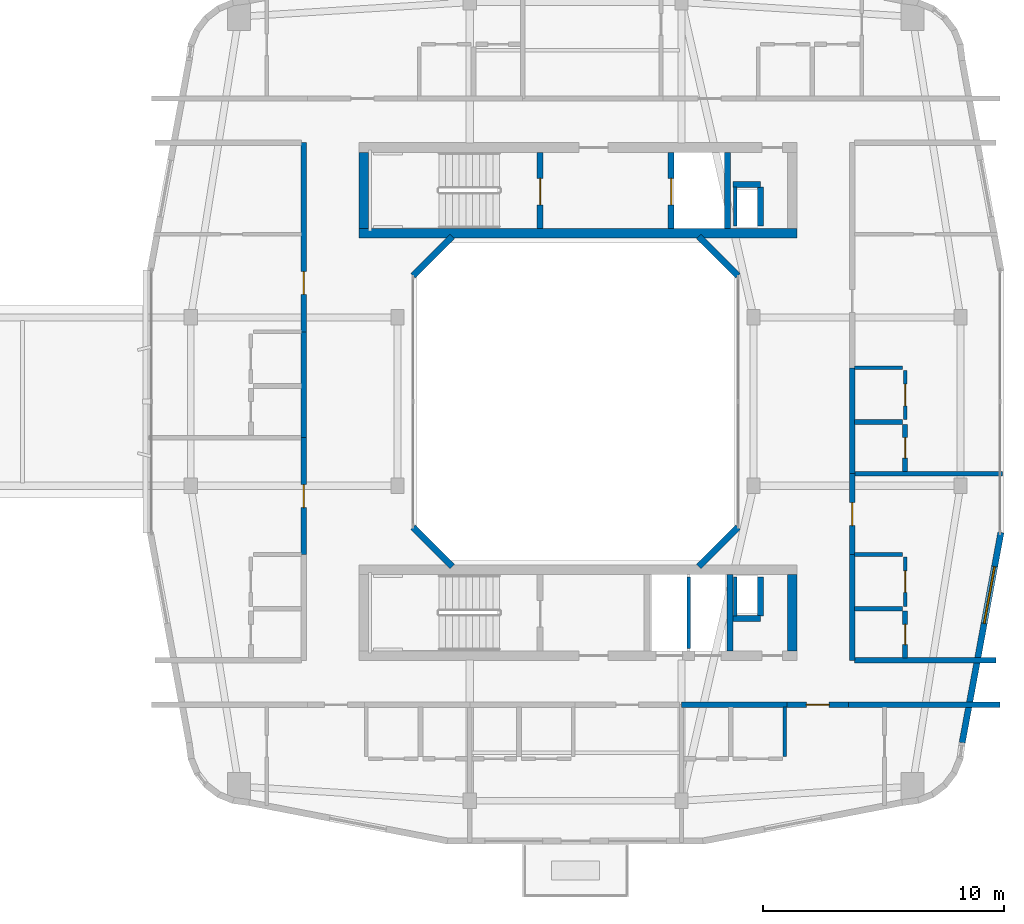
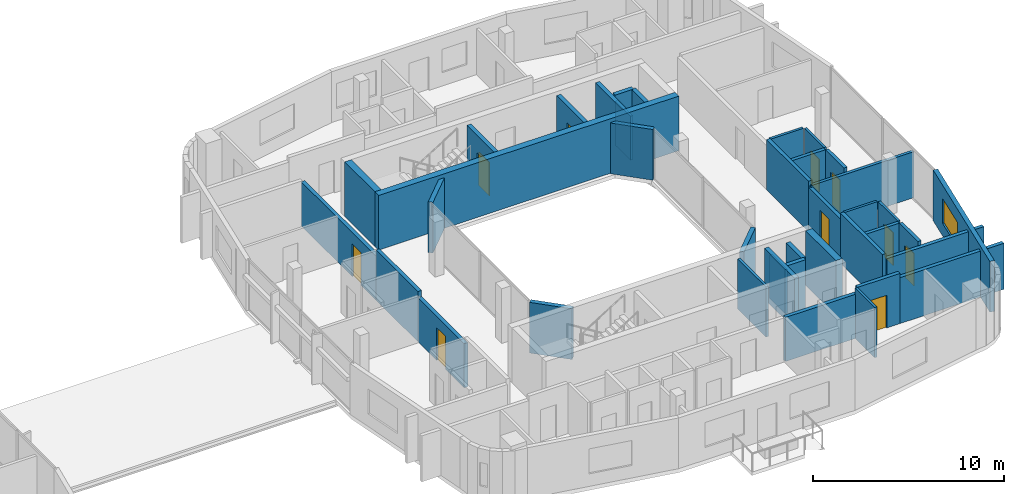
# One storey, part 14 of 22: 39 walls, 10 doors, 1 window, 11 openings.
"""IFC4 building model written with IfcOpenShell, lengths in metres."""

from ifc_helpers import new_model, si_unit, derived_unit, direction, frame, frame_2d, origin, place, context, subcontext, project, spatial, rectangle, extrude, material, layer, layer_set, type_object, element, fill, save


model = new_model("IFC4")

# Units and contexts
model_context = context("Model", 3, precision=1e-05, world=origin(), true_north=direction((0.0, 1.0)))
body_context = subcontext(model_context, "Body", "Model", "MODEL_VIEW")
ifc_project = project(units=[si_unit("LENGTHUNIT", "METRE"), si_unit("AREAUNIT", "SQUARE_METRE"), si_unit("VOLUMEUNIT", "CUBIC_METRE"), si_unit("PLANEANGLEUNIT", "RADIAN"), si_unit("MASSUNIT", "GRAM", prefix="KILO"), derived_unit("THERMALTRANSMITTANCEUNIT", [(si_unit("POWERUNIT", "WATT"), 1), (si_unit("LENGTHUNIT", "METRE"), -2), (si_unit("THERMODYNAMICTEMPERATUREUNIT", "KELVIN"), -1)])], contexts=[model_context])

# Site, building, storey
site_placement = place(None, origin())
site = spatial("IfcSite", under=ifc_project, at=site_placement, CompositionType="ELEMENT")
building_placement = place(site_placement, origin())
building = spatial("IfcBuilding", under=site, at=building_placement, Name="Kivonza Crest Hotel", CompositionType="ELEMENT")
storey_placement = place(building_placement, frame((0.0, 0.0, 124.0)))
storey = spatial("IfcBuildingStorey", under=building, at=storey_placement, Name="L33", CompositionType="ELEMENT", Elevation=124.0)

# Walls
ifc_material_1 = material(Name="High-density acoustic masonry inter-tenancy wall", Category="masonry")
ifc_layer_1 = layer(ifc_material_1, 0.179931640625)
ifc_layer_set_1 = layer_set([ifc_layer_1], Name="High-density acoustic masonry inter-tenancy wall")
wall_type_1 = type_object("IfcWallType", Name="WL-ACOU-180", PredefinedType="SOLIDWALL", material=ifc_layer_set_1)
wall_1_placement = place(storey_placement, frame((88.5, 22.0, 0.0), z_axis=(0.0, 0.0, 1.0), x_axis=(1.0, 0.0, 0.0)))
element("IfcWall", 1, at=wall_1_placement, inside=storey, type_object=wall_type_1, Name="L33 interior partition WA-L33-T2E-DIV1", PredefinedType="SOLIDWALL", context=body_context, shape_type="SweptSolid", body=[
    extrude(rectangle(XDim=6.239990234375, YDim=0.179931640625, at=frame_2d((3.1201171875, 0.0))), origin(), (0.0, 0.0, 1.0), 2.945068359375),
])
ifc_material_2 = material(Name="Autoclaved aerated concrete blockwork", Category="masonry")
ifc_layer_2 = layer(ifc_material_2, 0.219970703125)
ifc_layer_set_2 = layer_set([ifc_layer_2], Name="Autoclaved aerated concrete blockwork")
wall_type_2 = type_object("IfcWallType", Name="WL-ACOU-220", PredefinedType="SOLIDWALL", material=ifc_layer_set_2)
wall_2_placement = place(storey_placement, frame((81.39990234375, 12.39990234375, 0.0), z_axis=(0.0, 0.0, 1.0), x_axis=(1.0, 0.0, 0.0)))
element("IfcWall", 2, at=wall_2_placement, inside=storey, type_object=wall_type_2, Name="L33 interior partition WA-L33-A05-LCORR", PredefinedType="SOLIDWALL", context=body_context, shape_type="SweptSolid", body=[
    extrude(rectangle(XDim=4.380126953125, YDim=0.219970703125, at=frame_2d((2.18994140625, 0.0))), origin(), (0.0, 0.0, 1.0), 2.824951171875),
])
wall_3_placement = place(storey_placement, frame((88.35009765625, 12.39990234375, 0.0), z_axis=(0.0, 0.0, 1.0), x_axis=(1.0, 0.0, 0.0)))
element("IfcWall", 3, at=wall_3_placement, inside=storey, type_object=wall_type_2, Name="L33 interior partition WA-L33-A05-RCORR", PredefinedType="SOLIDWALL", context=body_context, shape_type="SweptSolid", body=[
    extrude(rectangle(XDim=6.289794921875, YDim=0.219970703125, at=frame_2d((3.14501953125, 0.0))), origin(), (0.0, 0.0, 1.0), 2.945068359375),
])

# Wall, opening, door
wall_4_placement = place(storey_placement, frame((85.780029296875, 12.39990234375, 0.0), z_axis=(0.0, 0.0, 1.0), x_axis=(1.0, 0.0, 0.0)))
wall_4 = element("IfcWall", 4, at=wall_4_placement, inside=storey, type_object=wall_type_2, Name="L33 interior partition WA-L33-A05-MCORR", PredefinedType="SOLIDWALL", context=body_context, shape_type="SweptSolid", body=[
    extrude(rectangle(XDim=2.570068359375, YDim=0.219970703125, at=frame_2d((1.28515625, 0.0))), origin(), (0.0, 0.0, 1.0), 3.219970703125),
])
opening_1_placement = place(wall_4_placement, frame((0.81005859375, 0.0, 0.0)))
opening_1 = element("IfcOpeningElement", 5, at=opening_1_placement, cuts=wall_4, Name="Opening DU-60", PredefinedType="OPENING", context=body_context, shape_type="SweptSolid", body=[
    extrude(rectangle(XDim=0.949951171875, YDim=2.10009765625, at=frame_2d((0.47509765625, 1.050048828125))), frame((0.0, 0.1201171875, 0.0), z_axis=(0.0, -1.0, 0.0), x_axis=(1.0, 0.0, 0.0)), (0.0, 0.0, 1.0), 0.239990234375),
])
ifc_material_3 = material(Name="Hardwood timber oak", Category="wood")
door_type_1 = type_object("IfcDoorType", Name="DR-UNIT-950", OperationType="NOTDEFINED", PredefinedType="DOOR", material=ifc_material_3)
door_1_placement = place(opening_1_placement, frame((0.949951171875, 0.0, 0.0), z_axis=(0.0, 0.0, 1.0), x_axis=(-1.0, 0.0, 0.0)))
door_1 = element("IfcDoor", 6, at=door_1_placement, inside=storey, type_object=door_type_1, Name="L33 A05 apartment entrance fire door", OperationType="SINGLE_SWING_LEFT", OverallHeight=2.10009765625, OverallWidth=0.949951171875, PredefinedType="DOOR", context=body_context, shape_type="SweptSolid", body=[
    extrude(rectangle(XDim=0.949951171875, YDim=2.10009765625, at=frame_2d((0.47509765625, 1.050048828125))), frame((0.0, 0.02490234375, 0.0), z_axis=(0.0, -1.0, 0.0), x_axis=(1.0, 0.0, 0.0)), (0.0, 0.0, 1.0), 0.050048828125),
])
fill(opening_1, door_1)

wall_5_placement = place(storey_placement, frame((65.699951171875, 18.639892578125, 0.0), z_axis=(0.0, 0.0, 1.0), x_axis=(0.0, 1.0, 0.0)))
wall_5 = element("IfcWall", 7, at=wall_5_placement, inside=storey, type_object=wall_type_2, Name="L33 interior partition WA-L33-A06-MCORR", PredefinedType="SOLIDWALL", context=body_context, shape_type="SweptSolid", body=[
    extrude(rectangle(XDim=4.860107421875, YDim=0.219970703125, at=frame_2d((2.43017578125, 0.0))), origin(), (0.0, 0.0, 1.0), 2.824951171875),
])
opening_2_placement = place(wall_5_placement, frame((1.955078125, 0.0, 0.0)))
opening_2 = element("IfcOpeningElement", 8, at=opening_2_placement, cuts=wall_5, Name="Opening DU-60", PredefinedType="OPENING", context=body_context, shape_type="SweptSolid", body=[
    extrude(rectangle(XDim=0.949951171875, YDim=2.10009765625, at=frame_2d((0.47509765625, 1.050048828125))), frame((0.0, 0.1201171875, 0.0), z_axis=(0.0, -1.0, 0.0), x_axis=(1.0, 0.0, 0.0)), (0.0, 0.0, 1.0), 0.239990234375),
])
door_2_placement = place(opening_2_placement, origin())
door_2 = element("IfcDoor", 9, at=door_2_placement, inside=storey, type_object=door_type_1, Name="L33 A06 apartment entrance fire door", OperationType="SINGLE_SWING_RIGHT", OverallHeight=2.10009765625, OverallWidth=0.949951171875, PredefinedType="DOOR", context=body_context, shape_type="SweptSolid", body=[
    extrude(rectangle(XDim=0.949951171875, YDim=2.10009765625, at=frame_2d((0.47509765625, 1.050048828125))), frame((0.0, 0.02490234375, 0.0), z_axis=(0.0, -1.0, 0.0), x_axis=(1.0, 0.0, 0.0)), (0.0, 0.0, 1.0), 0.050048828125),
])
fill(opening_2, door_2)

# Wall
wall_6_placement = place(storey_placement, frame((65.699951171875, 23.5, 0.0), z_axis=(0.0, 0.0, 1.0), x_axis=(0.0, 1.0, 0.0)))
element("IfcWall", 10, at=wall_6_placement, inside=storey, type_object=wall_type_2, Name="L33 interior partition WA-L33-A07-BCORR", PredefinedType="SOLIDWALL", context=body_context, shape_type="SweptSolid", body=[
    extrude(rectangle(XDim=4.39990234375, YDim=0.219970703125, at=frame_2d((2.199951171875, 0.0))), origin(), (0.0, 0.0, 1.0), 3.219970703125),
])

# Wall, opening, door
wall_7_placement = place(storey_placement, frame((65.699951171875, 27.89990234375, 0.0), z_axis=(0.0, 0.0, 1.0), x_axis=(0.0, 1.0, 0.0)))
wall_7 = element("IfcWall", 11, at=wall_7_placement, inside=storey, type_object=wall_type_2, Name="L33 interior partition WA-L33-A07-MCORR", PredefinedType="SOLIDWALL", context=body_context, shape_type="SweptSolid", body=[
    extrude(rectangle(XDim=7.860107421875, YDim=0.219970703125, at=frame_2d((3.93017578125, 0.0))), origin(), (0.0, 0.0, 1.0), 2.824951171875),
])
opening_3_placement = place(wall_7_placement, frame((1.554931640625, 0.0, 0.0)))
opening_3 = element("IfcOpeningElement", 12, at=opening_3_placement, cuts=wall_7, Name="Opening DU-60", PredefinedType="OPENING", context=body_context, shape_type="SweptSolid", body=[
    extrude(rectangle(XDim=0.949951171875, YDim=2.10009765625, at=frame_2d((0.47509765625, 1.050048828125))), frame((0.0, 0.1201171875, 0.0), z_axis=(0.0, -1.0, 0.0), x_axis=(1.0, 0.0, 0.0)), (0.0, 0.0, 1.0), 0.239990234375),
])
door_3_placement = place(opening_3_placement, origin())
door_3 = element("IfcDoor", 13, at=door_3_placement, inside=storey, type_object=door_type_1, Name="L33 A07 apartment entrance fire door", OperationType="SINGLE_SWING_LEFT", OverallHeight=2.10009765625, OverallWidth=0.949951171875, PredefinedType="DOOR", context=body_context, shape_type="SweptSolid", body=[
    extrude(rectangle(XDim=0.949951171875, YDim=2.10009765625, at=frame_2d((0.47509765625, 1.050048828125))), frame((0.0, 0.02490234375, 0.0), z_axis=(0.0, -1.0, 0.0), x_axis=(1.0, 0.0, 0.0)), (0.0, 0.0, 1.0), 0.050048828125),
])
fill(opening_3, door_3)

# Walls
wall_8_placement = place(storey_placement, frame((88.60009765625, 14.239990234375, 0.0), z_axis=(0.0, 0.0, 1.0), x_axis=(1.0, 0.0, 0.0)))
element("IfcWall", 14, at=wall_8_placement, inside=storey, type_object=wall_type_2, Name="L33 interior partition WA-L33-T2E-ENDS", PredefinedType="SOLIDWALL", context=body_context, shape_type="SweptSolid", body=[
    extrude(rectangle(XDim=5.8798828125, YDim=0.219970703125, at=frame_2d((2.93994140625, 0.0))), origin(), (0.0, 0.0, 1.0), 2.945068359375),
])
wall_9_placement = place(storey_placement, frame((88.5, 14.239990234375, 0.0), z_axis=(0.0, 0.0, 1.0), x_axis=(0.0, 1.0, 0.0)))
element("IfcWall", 15, at=wall_9_placement, inside=storey, type_object=wall_type_2, Name="L33 interior partition WA-L33-A08-BCORR", PredefinedType="SOLIDWALL", context=body_context, shape_type="SweptSolid", body=[
    extrude(rectangle(XDim=4.39990234375, YDim=0.219970703125, at=frame_2d((2.199951171875, 0.0))), origin(), (0.0, 0.0, 1.0), 3.219970703125),
])

# Wall, opening, door
wall_10_placement = place(storey_placement, frame((88.5, 18.639892578125, 0.0), z_axis=(0.0, 0.0, 1.0), x_axis=(0.0, 1.0, 0.0)))
wall_10 = element("IfcWall", 16, at=wall_10_placement, inside=storey, type_object=wall_type_2, Name="L33 interior partition WA-L33-A08-MCORR", PredefinedType="SOLIDWALL", context=body_context, shape_type="SweptSolid", body=[
    extrude(rectangle(XDim=3.360107421875, YDim=0.219970703125, at=frame_2d((1.68017578125, 0.0))), origin(), (0.0, 0.0, 1.0), 2.824951171875),
])
opening_4_placement = place(wall_10_placement, frame((1.205078125, 0.0, 0.0)))
opening_4 = element("IfcOpeningElement", 17, at=opening_4_placement, cuts=wall_10, Name="Opening DU-60", PredefinedType="OPENING", context=body_context, shape_type="SweptSolid", body=[
    extrude(rectangle(XDim=0.949951171875, YDim=2.10009765625, at=frame_2d((0.47509765625, 1.050048828125))), frame((0.0, 0.1201171875, 0.0), z_axis=(0.0, -1.0, 0.0), x_axis=(1.0, 0.0, 0.0)), (0.0, 0.0, 1.0), 0.239990234375),
])
door_4_placement = place(opening_4_placement, frame((0.949951171875, 0.0, 0.0), z_axis=(0.0, 0.0, 1.0), x_axis=(-1.0, 0.0, 0.0)))
door_4 = element("IfcDoor", 18, at=door_4_placement, inside=storey, type_object=door_type_1, Name="L33 A08 apartment entrance fire door", OperationType="SINGLE_SWING_RIGHT", OverallHeight=2.10009765625, OverallWidth=0.949951171875, PredefinedType="DOOR", context=body_context, shape_type="SweptSolid", body=[
    extrude(rectangle(XDim=0.949951171875, YDim=2.10009765625, at=frame_2d((0.47509765625, 1.050048828125))), frame((0.0, 0.02490234375, 0.0), z_axis=(0.0, -1.0, 0.0), x_axis=(1.0, 0.0, 0.0)), (0.0, 0.0, 1.0), 0.050048828125),
])
fill(opening_4, door_4)

# Walls
wall_11_placement = place(storey_placement, frame((88.5, 22.0, 0.0), z_axis=(0.0, 0.0, 1.0), x_axis=(0.0, 1.0, 0.0)))
element("IfcWall", 19, at=wall_11_placement, inside=storey, type_object=wall_type_2, Name="L33 interior partition WA-L33-A09-BCORR", PredefinedType="SOLIDWALL", context=body_context, shape_type="SweptSolid", body=[
    extrude(rectangle(XDim=4.39990234375, YDim=0.219970703125, at=frame_2d((2.199951171875, 0.0))), origin(), (0.0, 0.0, 1.0), 3.219970703125),
])
ifc_material_4 = material(Name="Concrete C50/60", Category="concrete")
ifc_layer_3 = layer(ifc_material_4, 0.39990234375)
ifc_layer_set_3 = layer_set([ifc_layer_3], Name="Concrete C50/60")
wall_type_3 = type_object("IfcWallType", Name="WL-CORE-400", PredefinedType="SHEAR", material=ifc_layer_set_3)
wall_12_placement = place(storey_placement, frame((68.0, 32.0, 0.0), z_axis=(0.0, 0.0, 1.0), x_axis=(1.0, 0.0, 0.0)))
element("IfcWall", 20, at=wall_12_placement, inside=storey, type_object=wall_type_3, Name="Core wall T2-N South L33", PredefinedType="SHEAR", context=body_context, shape_type="SweptSolid", body=[
    extrude(rectangle(XDim=18.199951171875, YDim=0.39990234375, at=frame_2d((9.10009765625, 0.0))), origin(), (0.0, 0.0, 1.0), 3.5),
])
for number, where, z_axis, x_axis, name in (
    (21, (68.199951171875, 32.199951171875, 0.0), (0.0, 0.0, 1.0), (0.0, 1.0, 0.0), "Core wall T2-N West L33"),
    (22, (86.0, 14.639892578125, 0.0), (0.0, 0.0, 1.0), (0.0, 1.0, 0.0), "Core wall T2-S East L33"),
):
    element("IfcWall", number, at=place(storey_placement, frame(where, z_axis=z_axis, x_axis=x_axis)), inside=storey, type_object=wall_type_3, Name=name, PredefinedType="SHEAR", context=body_context, shape_type="SweptSolid", body=[
        extrude(rectangle(XDim=3.16015625, YDim=0.39990234375, at=frame_2d((1.580078125, 0.0))), origin(), (0.0, 0.0, 1.0), 3.5),
    ])

# Wall, opening, window
ifc_material_5 = material(Name="Precast concrete C40/50", Category="concrete")
ifc_layer_4 = layer(ifc_material_5, 0.260009765625)
ifc_layer_set_4 = layer_set([ifc_layer_4], Name="Precast concrete C40/50")
wall_type_4 = type_object("IfcWallType", Name="WL-EXT-260", PredefinedType="STANDARD", material=ifc_layer_set_4)
wall_13_placement = place(storey_placement, frame((93.071044921875, 10.81591796875, 0.0), z_axis=(0.0, 0.0, 1.0), x_axis=(0.181209963057, 0.983444431215, 0.0)))
wall_13 = element("IfcWall", 23, at=wall_13_placement, inside=storey, type_object=wall_type_4, Name="L33 T2 exterior insulated wall 16", PredefinedType="STANDARD", context=body_context, shape_type="SweptSolid", body=[
    extrude(rectangle(XDim=8.889404296875, YDim=0.260009765625, at=frame_2d((4.44482421875, 0.0))), origin(), (0.0, 0.0, 1.0), 3.25),
])
opening_5_placement = place(wall_13_placement, frame((5.044921875, 0.0, 0.800048828125)))
opening_5 = element("IfcOpeningElement", 24, at=opening_5_placement, cuts=wall_13, Name="Opening WN-05", PredefinedType="OPENING", context=body_context, shape_type="SweptSolid", body=[
    extrude(rectangle(XDim=2.39990234375, YDim=1.60009765625, at=frame_2d((1.199951171875, 0.800048828125))), frame((0.0, 0.14013671875, 0.0), z_axis=(0.0, -1.0, 0.0), x_axis=(1.0, 0.0, 0.0)), (0.0, 0.0, 1.0), 0.280029296875),
])
ifc_material_6 = material(Name="Thermally broken bronze aluminium and low-E double glazing", Category="aluminium")
window_type = type_object("IfcWindowType", Name="WN-240x160", PartitioningType="TRIPLE_PANEL_VERTICAL", PredefinedType="WINDOW", material=ifc_material_6)
window_placement = place(opening_5_placement, origin())
window = element("IfcWindow", 25, at=window_placement, inside=storey, type_object=window_type, Name="L33 T2 facade window 16", OverallHeight=1.60009765625, OverallWidth=2.39990234375, PartitioningType="SINGLE_PANEL", PredefinedType="WINDOW", context=body_context, shape_type="SweptSolid", body=[
    extrude(rectangle(XDim=2.39990234375, YDim=1.60009765625, at=frame_2d((1.199951171875, 0.800048828125))), frame((0.0, 0.030029296875, 0.0), z_axis=(0.0, -1.0, 0.0), x_axis=(1.0, 0.0, 0.0)), (0.0, 0.0, 1.0), 0.06005859375),
])
fill(opening_5, window)

# Walls
for number, where, z_axis, x_axis, name in (
    (26, (82.1220703125, 18.137939453125, 0.0), (0.0, 0.0, 1.0), (0.707106781187, 0.707106781187, 0.0), "L33 T2 light-well exterior wall 2"),
    (27, (83.756103515625, 30.22802734375, 0.0), (0.0, 0.0, 1.0), (-0.707106781187, 0.707106781187, 0.0), "L33 T2 light-well exterior wall 4"),
    (28, (71.8779296875, 31.862060546875, 0.0), (0.0, 0.0, 1.0), (-0.707106781187, -0.707106781187, 0.0), "L33 T2 light-well exterior wall 6"),
    (29, (70.243896484375, 19.77197265625, 0.0), (0.0, 0.0, 1.0), (0.707106781187, -0.707106781187, 0.0), "L33 T2 light-well exterior wall 8"),
):
    element("IfcWall", number, at=place(storey_placement, frame(where, z_axis=z_axis, x_axis=x_axis)), inside=storey, type_object=wall_type_4, Name=name, PredefinedType="STANDARD", context=body_context, shape_type="SweptSolid", body=[
        extrude(rectangle(XDim=2.310791015625, YDim=0.260009765625, at=frame_2d((1.1552734375, 0.0))), origin(), (0.0, 0.0, 1.0), 3.25),
    ])
ifc_material_7 = material(Name="Concrete blockwork fire-compartment wall", Category="masonry")
ifc_layer_5 = layer(ifc_material_7, 0.25)
ifc_layer_set_5 = layer_set([ifc_layer_5], Name="Concrete blockwork fire-compartment wall")
wall_type_5 = type_object("IfcWallType", Name="WL-FIRE-250", PredefinedType="SOLIDWALL", material=ifc_layer_set_5)
wall_14_placement = place(storey_placement, frame((84.679931640625, 32.300048828125, 0.0), z_axis=(0.0, 0.0, 1.0), x_axis=(0.0, 1.0, 0.0)))
element("IfcWall", 30, at=wall_14_placement, inside=storey, type_object=wall_type_5, Name="L33 interior partition WA-L33-T2-N-MEPR-E", PredefinedType="SOLIDWALL", context=body_context, shape_type="SweptSolid", body=[
    extrude(rectangle(XDim=1.619873046875, YDim=0.25, at=frame_2d((0.81005859375, 0.0))), origin(), (0.0, 0.0, 1.0), 3.219970703125),
])
wall_15_placement = place(storey_placement, frame((83.550048828125, 34.02001953125, 0.0), z_axis=(0.0, 0.0, 1.0), x_axis=(1.0, 0.0, 0.0)))
element("IfcWall", 31, at=wall_15_placement, inside=storey, type_object=wall_type_5, Name="L33 interior partition WA-L33-T2-N-MEPR-H", PredefinedType="SOLIDWALL", context=body_context, shape_type="SweptSolid", body=[
    extrude(rectangle(XDim=1.1298828125, YDim=0.25, at=frame_2d((0.56494140625, 0.0))), origin(), (0.0, 0.0, 1.0), 3.219970703125),
])
wall_16_placement = place(storey_placement, frame((84.679931640625, 16.080078125, 0.0), z_axis=(0.0, 0.0, 1.0), x_axis=(0.0, 1.0, 0.0)))
element("IfcWall", 32, at=wall_16_placement, inside=storey, type_object=wall_type_5, Name="L33 interior partition WA-L33-T2-S-MEPR-E", PredefinedType="SOLIDWALL", context=body_context, shape_type="SweptSolid", body=[
    extrude(rectangle(XDim=1.619873046875, YDim=0.25, at=frame_2d((0.81005859375, 0.0))), origin(), (0.0, 0.0, 1.0), 3.219970703125),
])
wall_17_placement = place(storey_placement, frame((83.550048828125, 15.97998046875, 0.0), z_axis=(0.0, 0.0, 1.0), x_axis=(1.0, 0.0, 0.0)))
element("IfcWall", 33, at=wall_17_placement, inside=storey, type_object=wall_type_5, Name="L33 interior partition WA-L33-T2-S-MEPR-H", PredefinedType="SOLIDWALL", context=body_context, shape_type="SweptSolid", body=[
    extrude(rectangle(XDim=1.1298828125, YDim=0.25, at=frame_2d((0.56494140625, 0.0))), origin(), (0.0, 0.0, 1.0), 3.219970703125),
])
ifc_material_8 = material(Name="Twin-stud acoustic gypsum board partition", Category="gypsum")
ifc_layer_6 = layer(ifc_material_8, 0.14990234375)
ifc_layer_set_6 = layer_set([ifc_layer_6], Name="Twin-stud acoustic gypsum board partition")
wall_type_6 = type_object("IfcWallType", Name="WL-PART-150", PredefinedType="PARTITIONING", material=ifc_layer_set_6)
for number, where, z_axis, x_axis, name in (
    (34, (83.6298828125, 32.300048828125, 0.0), (0.0, 0.0, 1.0), (0.0, 1.0, 0.0), "L33 interior partition WA-L33-T2-N-MEPR-W"),
    (35, (83.6298828125, 16.080078125, 0.0), (0.0, 0.0, 1.0), (0.0, 1.0, 0.0), "L33 interior partition WA-L33-T2-S-MEPR-W"),
):
    element("IfcWall", number, at=place(storey_placement, frame(where, z_axis=z_axis, x_axis=x_axis)), inside=storey, type_object=wall_type_6, Name=name, PredefinedType="PARTITIONING", context=body_context, shape_type="SweptSolid", body=[
        extrude(rectangle(XDim=1.619873046875, YDim=0.14990234375, at=frame_2d((0.81005859375, 0.0))), origin(), (0.0, 0.0, 1.0), 2.824951171875),
    ])
wall_18_placement = place(storey_placement, frame((81.699951171875, 14.739990234375, 0.0), z_axis=(0.0, 0.0, 1.0), x_axis=(0.0, 1.0, 0.0)))
element("IfcWall", 36, at=wall_18_placement, inside=storey, type_object=wall_type_6, Name="L33 interior partition WP-L33-T2-S-BSH-1", PredefinedType="PARTITIONING", context=body_context, shape_type="SweptSolid", body=[
    extrude(rectangle(XDim=2.9599609375, YDim=0.14990234375, at=frame_2d((1.47998046875, 0.0))), origin(), (0.0, 0.0, 1.0), 3.219970703125),
])
wall_19_placement = place(storey_placement, frame((85.699951171875, 10.25, 0.0), z_axis=(0.0, 0.0, 1.0), x_axis=(0.0, 1.0, 0.0)))
element("IfcWall", 37, at=wall_19_placement, inside=storey, type_object=wall_type_6, Name="L33 interior partition WP-L33-A05-KF", PredefinedType="PARTITIONING", context=body_context, shape_type="SweptSolid", body=[
    extrude(rectangle(XDim=2.050048828125, YDim=0.14990234375, at=frame_2d((1.02490234375, 0.0))), origin(), (0.0, 0.0, 1.0), 3.219970703125),
])
wall_20_placement = place(storey_placement, frame((88.60009765625, 18.639892578125, 0.0), z_axis=(0.0, 0.0, 1.0), x_axis=(1.0, 0.0, 0.0)))
element("IfcWall", 38, at=wall_20_placement, inside=storey, type_object=wall_type_6, Name="L33 interior partition WP-L33-A08-KF", PredefinedType="PARTITIONING", context=body_context, shape_type="SweptSolid", body=[
    extrude(rectangle(XDim=2.0, YDim=0.14990234375, at=frame_2d((1.0, 0.0))), origin(), (0.0, 0.0, 1.0), 3.219970703125),
])

# Wall, opening, door
wall_21_placement = place(storey_placement, frame((90.699951171875, 16.489990234375, 0.0), z_axis=(0.0, 0.0, 1.0), x_axis=(0.0, 1.0, 0.0)))
wall_21 = element("IfcWall", 39, at=wall_21_placement, inside=storey, type_object=wall_type_6, Name="L33 interior partition WP-L33-A08-KSVC", PredefinedType="PARTITIONING", context=body_context, shape_type="SweptSolid", body=[
    extrude(rectangle(XDim=2.050048828125, YDim=0.14990234375, at=frame_2d((1.02490234375, 0.0))), origin(), (0.0, 0.0, 1.0), 3.219970703125),
])
opening_6_placement = place(wall_21_placement, frame((0.574951171875, 0.0, 0.0)))
opening_6 = element("IfcOpeningElement", 40, at=opening_6_placement, cuts=wall_21, Name="Opening DI-90", PredefinedType="OPENING", context=body_context, shape_type="SweptSolid", body=[
    extrude(rectangle(XDim=0.89990234375, YDim=2.10009765625, at=frame_2d((0.449951171875, 1.050048828125))), frame((0.0, 0.0849609375, 0.0), z_axis=(0.0, -1.0, 0.0), x_axis=(1.0, 0.0, 0.0)), (0.0, 0.0, 1.0), 0.169921875),
])
door_type_2 = type_object("IfcDoorType", Name="DR-INT-900", OperationType="NOTDEFINED", PredefinedType="DOOR", material=ifc_material_3)
door_5_placement = place(opening_6_placement, frame((0.89990234375, 0.0, 0.0), z_axis=(0.0, 0.0, 1.0), x_axis=(-1.0, 0.0, 0.0)))
door_5 = element("IfcDoor", 41, at=door_5_placement, inside=storey, type_object=door_type_2, Name="L33 A08 apartment kitchen door", OperationType="SINGLE_SWING_RIGHT", OverallHeight=2.10009765625, OverallWidth=0.89990234375, PredefinedType="DOOR", context=body_context, shape_type="SweptSolid", body=[
    extrude(rectangle(XDim=0.89990234375, YDim=2.10009765625, at=frame_2d((0.449951171875, 1.050048828125))), frame((0.0, 0.02490234375, 0.0), z_axis=(0.0, -1.0, 0.0), x_axis=(1.0, 0.0, 0.0)), (0.0, 0.0, 1.0), 0.050048828125),
])
fill(opening_6, door_5)

# Wall
wall_22_placement = place(storey_placement, frame((88.60009765625, 26.39990234375, 0.0), z_axis=(0.0, 0.0, 1.0), x_axis=(1.0, 0.0, 0.0)))
element("IfcWall", 42, at=wall_22_placement, inside=storey, type_object=wall_type_6, Name="L33 interior partition WP-L33-A09-KF", PredefinedType="PARTITIONING", context=body_context, shape_type="SweptSolid", body=[
    extrude(rectangle(XDim=2.0, YDim=0.14990234375, at=frame_2d((1.0, 0.0))), origin(), (0.0, 0.0, 1.0), 3.219970703125),
])

# Wall, opening, door
wall_23_placement = place(storey_placement, frame((90.699951171875, 24.25, 0.0), z_axis=(0.0, 0.0, 1.0), x_axis=(0.0, 1.0, 0.0)))
wall_23 = element("IfcWall", 43, at=wall_23_placement, inside=storey, type_object=wall_type_6, Name="L33 interior partition WP-L33-A09-KSVC", PredefinedType="PARTITIONING", context=body_context, shape_type="SweptSolid", body=[
    extrude(rectangle(XDim=2.050048828125, YDim=0.14990234375, at=frame_2d((1.02490234375, 0.0))), origin(), (0.0, 0.0, 1.0), 3.219970703125),
])
opening_7_placement = place(wall_23_placement, frame((0.574951171875, 0.0, 0.0)))
opening_7 = element("IfcOpeningElement", 44, at=opening_7_placement, cuts=wall_23, Name="Opening DI-90", PredefinedType="OPENING", context=body_context, shape_type="SweptSolid", body=[
    extrude(rectangle(XDim=0.89990234375, YDim=2.10009765625, at=frame_2d((0.449951171875, 1.050048828125))), frame((0.0, 0.0849609375, 0.0), z_axis=(0.0, -1.0, 0.0), x_axis=(1.0, 0.0, 0.0)), (0.0, 0.0, 1.0), 0.169921875),
])
door_6_placement = place(opening_7_placement, frame((0.89990234375, 0.0, 0.0), z_axis=(0.0, 0.0, 1.0), x_axis=(-1.0, 0.0, 0.0)))
door_6 = element("IfcDoor", 45, at=door_6_placement, inside=storey, type_object=door_type_2, Name="L33 A09 apartment kitchen door", OperationType="SINGLE_SWING_LEFT", OverallHeight=2.10009765625, OverallWidth=0.89990234375, PredefinedType="DOOR", context=body_context, shape_type="SweptSolid", body=[
    extrude(rectangle(XDim=0.89990234375, YDim=2.10009765625, at=frame_2d((0.449951171875, 1.050048828125))), frame((0.0, 0.02490234375, 0.0), z_axis=(0.0, -1.0, 0.0), x_axis=(1.0, 0.0, 0.0)), (0.0, 0.0, 1.0), 0.050048828125),
])
fill(opening_7, door_6)

# Wall
ifc_material_9 = material(Name="Moisture-resistant plumbing chase partition wall", Category="gypsum")
ifc_layer_7 = layer(ifc_material_9, 0.199951171875)
ifc_layer_set_7 = layer_set([ifc_layer_7], Name="Moisture-resistant plumbing chase partition wall")
wall_type_7 = type_object("IfcWallType", Name="WL-PLUMB-200", PredefinedType="PLUMBINGWALL", material=ifc_layer_set_7)
wall_24_placement = place(storey_placement, frame((88.60009765625, 16.389892578125, 0.0), z_axis=(0.0, 0.0, 1.0), x_axis=(1.0, 0.0, 0.0)))
element("IfcWall", 46, at=wall_24_placement, inside=storey, type_object=wall_type_7, Name="L33 interior partition WW-L33-A08-BK", PredefinedType="PLUMBINGWALL", context=body_context, shape_type="SweptSolid", body=[
    extrude(rectangle(XDim=2.0, YDim=0.199951171875, at=frame_2d((1.0, 0.0))), origin(), (0.0, 0.0, 1.0), 3.219970703125),
])

# Wall, opening, door
wall_25_placement = place(storey_placement, frame((90.699951171875, 14.340087890625, 0.0), z_axis=(0.0, 0.0, 1.0), x_axis=(0.0, 1.0, 0.0)))
wall_25 = element("IfcWall", 47, at=wall_25_placement, inside=storey, type_object=wall_type_7, Name="L33 interior partition WW-L33-A08-BSVC", PredefinedType="PLUMBINGWALL", context=body_context, shape_type="SweptSolid", body=[
    extrude(rectangle(XDim=1.949951171875, YDim=0.199951171875, at=frame_2d((0.97509765625, 0.0))), origin(), (0.0, 0.0, 1.0), 3.219970703125),
])
opening_8_placement = place(wall_25_placement, frame((0.550048828125, 0.0, 0.0)))
opening_8 = element("IfcOpeningElement", 48, at=opening_8_placement, cuts=wall_25, Name="Opening DI-85", PredefinedType="OPENING", context=body_context, shape_type="SweptSolid", body=[
    extrude(rectangle(XDim=0.85009765625, YDim=2.10009765625, at=frame_2d((0.425048828125, 1.050048828125))), frame((0.0, 0.10986328125, 0.0), z_axis=(0.0, -1.0, 0.0), x_axis=(1.0, 0.0, 0.0)), (0.0, 0.0, 1.0), 0.219970703125),
])
door_type_3 = type_object("IfcDoorType", Name="DR-INT-850", OperationType="NOTDEFINED", PredefinedType="DOOR", material=ifc_material_3)
door_7_placement = place(opening_8_placement, frame((0.85009765625, 0.0, 0.0), z_axis=(0.0, 0.0, 1.0), x_axis=(-1.0, 0.0, 0.0)))
door_7 = element("IfcDoor", 49, at=door_7_placement, inside=storey, type_object=door_type_3, Name="L33 A08 apartment bathroom door", OperationType="SINGLE_SWING_LEFT", OverallHeight=2.10009765625, OverallWidth=0.85009765625, PredefinedType="DOOR", context=body_context, shape_type="SweptSolid", body=[
    extrude(rectangle(XDim=0.85009765625, YDim=2.10009765625, at=frame_2d((0.425048828125, 1.050048828125))), frame((0.0, 0.02490234375, 0.0), z_axis=(0.0, -1.0, 0.0), x_axis=(1.0, 0.0, 0.0)), (0.0, 0.0, 1.0), 0.050048828125),
])
fill(opening_8, door_7)

# Wall
wall_26_placement = place(storey_placement, frame((88.60009765625, 24.14990234375, 0.0), z_axis=(0.0, 0.0, 1.0), x_axis=(1.0, 0.0, 0.0)))
element("IfcWall", 50, at=wall_26_placement, inside=storey, type_object=wall_type_7, Name="L33 interior partition WW-L33-A09-BK", PredefinedType="PLUMBINGWALL", context=body_context, shape_type="SweptSolid", body=[
    extrude(rectangle(XDim=2.0, YDim=0.199951171875, at=frame_2d((1.0, 0.0))), origin(), (0.0, 0.0, 1.0), 3.219970703125),
])

# Wall, opening, door
wall_27_placement = place(storey_placement, frame((90.699951171875, 22.10009765625, 0.0), z_axis=(0.0, 0.0, 1.0), x_axis=(0.0, 1.0, 0.0)))
wall_27 = element("IfcWall", 51, at=wall_27_placement, inside=storey, type_object=wall_type_7, Name="L33 interior partition WW-L33-A09-BSVC", PredefinedType="PLUMBINGWALL", context=body_context, shape_type="SweptSolid", body=[
    extrude(rectangle(XDim=1.949951171875, YDim=0.199951171875, at=frame_2d((0.97509765625, 0.0))), origin(), (0.0, 0.0, 1.0), 3.219970703125),
])
opening_9_placement = place(wall_27_placement, frame((0.550048828125, 0.0, 0.0)))
opening_9 = element("IfcOpeningElement", 52, at=opening_9_placement, cuts=wall_27, Name="Opening DI-85", PredefinedType="OPENING", context=body_context, shape_type="SweptSolid", body=[
    extrude(rectangle(XDim=0.85009765625, YDim=2.10009765625, at=frame_2d((0.425048828125, 1.050048828125))), frame((0.0, 0.10986328125, 0.0), z_axis=(0.0, -1.0, 0.0), x_axis=(1.0, 0.0, 0.0)), (0.0, 0.0, 1.0), 0.219970703125),
])
door_8_placement = place(opening_9_placement, frame((0.85009765625, 0.0, 0.0), z_axis=(0.0, 0.0, 1.0), x_axis=(-1.0, 0.0, 0.0)))
door_8 = element("IfcDoor", 53, at=door_8_placement, inside=storey, type_object=door_type_3, Name="L33 A09 apartment bathroom door", OperationType="SINGLE_SWING_RIGHT", OverallHeight=2.10009765625, OverallWidth=0.85009765625, PredefinedType="DOOR", context=body_context, shape_type="SweptSolid", body=[
    extrude(rectangle(XDim=0.85009765625, YDim=2.10009765625, at=frame_2d((0.425048828125, 1.050048828125))), frame((0.0, 0.02490234375, 0.0), z_axis=(0.0, -1.0, 0.0), x_axis=(1.0, 0.0, 0.0)), (0.0, 0.0, 1.0), 0.050048828125),
])
fill(opening_9, door_8)

ifc_layer_8 = layer(ifc_material_4, 0.25)
ifc_layer_set_8 = layer_set([ifc_layer_8], Name="Concrete C50/60")
wall_type_8 = type_object("IfcWallType", Name="WL-SHAFT-250", PredefinedType="STANDARD", material=ifc_layer_set_8)
wall_28_placement = place(storey_placement, frame((75.52490234375, 32.199951171875, 0.0), z_axis=(0.0, 0.0, 1.0), x_axis=(0.0, 1.0, 0.0)))
wall_28 = element("IfcWall", 54, at=wall_28_placement, inside=storey, type_object=wall_type_8, Name="Core shaft wall T2-N STAIR L33", PredefinedType="STANDARD", context=body_context, shape_type="SweptSolid", body=[
    extrude(rectangle(XDim=3.16015625, YDim=0.25, at=frame_2d((1.580078125, 0.0))), origin(), (0.0, 0.0, 1.0), 3.25),
])
opening_10_placement = place(wall_28_placement, frame((0.97998046875, 0.0, 0.0)))
opening_10 = element("IfcOpeningElement", 55, at=opening_10_placement, cuts=wall_28, Name="Opening DF-120", PredefinedType="OPENING", context=body_context, shape_type="SweptSolid", body=[
    extrude(rectangle(XDim=1.10009765625, YDim=2.14990234375, at=frame_2d((0.550048828125, 1.074951171875))), frame((0.0, 0.135009765625, 0.0), z_axis=(0.0, -1.0, 0.0), x_axis=(1.0, 0.0, 0.0)), (0.0, 0.0, 1.0), 0.27001953125),
])
ifc_material_10 = material(Name="Galvanised steel", Category="steel")
door_type_4 = type_object("IfcDoorType", Name="DR-FD120-1100", OperationType="NOTDEFINED", PredefinedType="DOOR", material=ifc_material_10)
door_9_placement = place(opening_10_placement, frame((1.10009765625, 0.0, 0.0), z_axis=(0.0, 0.0, 1.0), x_axis=(-1.0, 0.0, 0.0)))
door_9 = element("IfcDoor", 56, at=door_9_placement, inside=storey, type_object=door_type_4, Name="L33 T2-N stair fire door", OperationType="SINGLE_SWING_LEFT", OverallHeight=2.14990234375, OverallWidth=1.10009765625, PredefinedType="DOOR", context=body_context, shape_type="SweptSolid", body=[
    extrude(rectangle(XDim=1.10009765625, YDim=2.14990234375, at=frame_2d((0.550048828125, 1.074951171875))), frame((0.0, 0.02490234375, 0.0), z_axis=(0.0, -1.0, 0.0), x_axis=(1.0, 0.0, 0.0)), (0.0, 0.0, 1.0), 0.050048828125),
])
fill(opening_10, door_9)

wall_29_placement = place(storey_placement, frame((80.97509765625, 32.199951171875, 0.0), z_axis=(0.0, 0.0, 1.0), x_axis=(0.0, 1.0, 0.0)))
wall_29 = element("IfcWall", 57, at=wall_29_placement, inside=storey, type_object=wall_type_8, Name="Core shaft wall T2-N FFL-W L33", PredefinedType="STANDARD", context=body_context, shape_type="SweptSolid", body=[
    extrude(rectangle(XDim=3.16015625, YDim=0.25, at=frame_2d((1.580078125, 0.0))), origin(), (0.0, 0.0, 1.0), 3.25),
])
opening_11_placement = place(wall_29_placement, frame((0.97998046875, 0.0, 0.0)))
opening_11 = element("IfcOpeningElement", 58, at=opening_11_placement, cuts=wall_29, Name="Opening LD-120", PredefinedType="OPENING", context=body_context, shape_type="SweptSolid", body=[
    extrude(rectangle(XDim=1.10009765625, YDim=2.14990234375, at=frame_2d((0.550048828125, 1.074951171875))), frame((0.0, 0.135009765625, 0.0), z_axis=(0.0, -1.0, 0.0), x_axis=(1.0, 0.0, 0.0)), (0.0, 0.0, 1.0), 0.27001953125),
])
ifc_material_11 = material(Name="Stainless steel", Category="steel")
door_type_5 = type_object("IfcDoorType", Name="DR-LD120-1100", OperationType="NOTDEFINED", PredefinedType="DOOR", material=ifc_material_11)
door_10_placement = place(opening_11_placement, origin())
door_10 = element("IfcDoor", 59, at=door_10_placement, inside=storey, type_object=door_type_5, Name="L33 FFL-T2 firefighting lift sliding landing door", OperationType="DOUBLE_DOOR_SLIDING", OverallHeight=2.14990234375, OverallWidth=1.10009765625, PredefinedType="DOOR", context=body_context, shape_type="SweptSolid", body=[
    extrude(rectangle(XDim=1.10009765625, YDim=2.14990234375, at=frame_2d((0.550048828125, 1.074951171875))), frame((0.0, 0.02490234375, 0.0), z_axis=(0.0, -1.0, 0.0), x_axis=(1.0, 0.0, 0.0)), (0.0, 0.0, 1.0), 0.050048828125),
])
fill(opening_11, door_10)

# Walls
for number, where, z_axis, x_axis, name in (
    (60, (83.324951171875, 32.199951171875, 0.0), (0.0, 0.0, 1.0), (0.0, 1.0, 0.0), "Core shaft wall T2-N FFL-E L33"),
    (61, (83.425048828125, 14.639892578125, 0.0), (0.0, 0.0, 1.0), (0.0, 1.0, 0.0), "Core shaft wall T2-S BANK-E L33"),
):
    element("IfcWall", number, at=place(storey_placement, frame(where, z_axis=z_axis, x_axis=x_axis)), inside=storey, type_object=wall_type_8, Name=name, PredefinedType="STANDARD", context=body_context, shape_type="SweptSolid", body=[
        extrude(rectangle(XDim=3.16015625, YDim=0.25, at=frame_2d((1.580078125, 0.0))), origin(), (0.0, 0.0, 1.0), 3.25),
    ])

save(model, "model.ifc")
